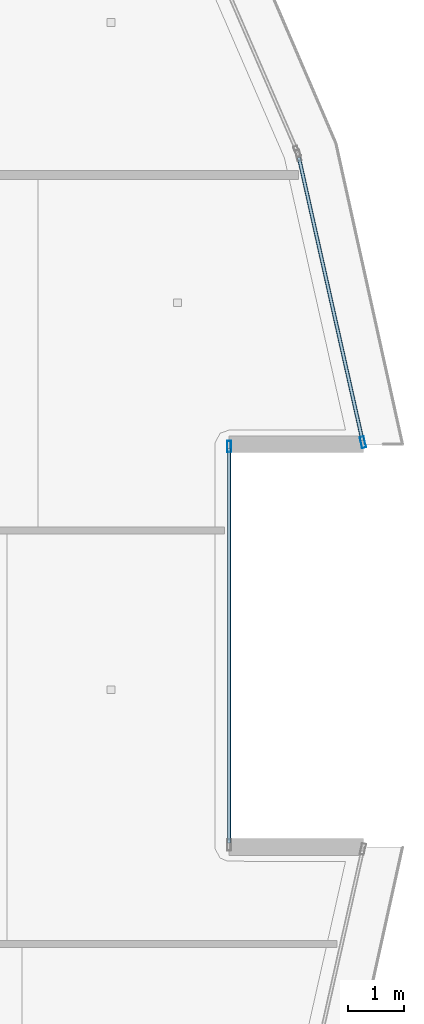
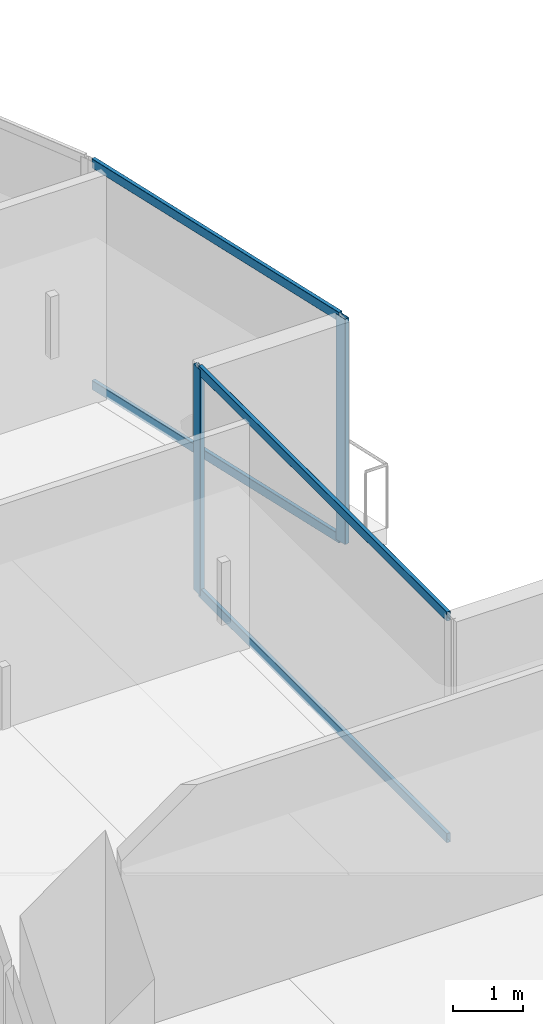
# One storey, part 12 of 30: 6 members, 2 elements without a shape of their own.
"""IFC4 building model written with IfcOpenShell, lengths in metres."""

from ifc_helpers import new_model, si_unit, direction, frame, origin, origin_2d, place, context, subcontext, project, spatial, hollow_rectangle, extrude, material, layer, layer_set, material_profile, profile_set, type_object, element, aggregate, save


model = new_model("IFC4")

# Units and contexts
model_context = context("Model", 3, precision=1e-05, world=origin(), true_north=direction((0.0, 1.0)))
body_context = subcontext(model_context, "Body", "Model", "MODEL_VIEW")
ifc_project = project(units=[si_unit("LENGTHUNIT", "METRE"), si_unit("AREAUNIT", "SQUARE_METRE"), si_unit("VOLUMEUNIT", "CUBIC_METRE"), si_unit("PLANEANGLEUNIT", "RADIAN"), si_unit("MASSUNIT", "GRAM", prefix="KILO")], contexts=[model_context])

# Site, building, storey
site_placement = place(None, origin())
site = spatial("IfcSite", under=ifc_project, at=site_placement, CompositionType="ELEMENT")
building_placement = place(site_placement, origin())
building = spatial("IfcBuilding", under=site, at=building_placement, Name="Qorvath Tower", CompositionType="ELEMENT")
storey_placement = place(building_placement, frame((0.0, 0.0, 289.199951171875)))
storey = spatial("IfcBuildingStorey", under=building, at=storey_placement, Name="L67", CompositionType="ELEMENT", Elevation=289.199951171875)

# Curtain wall, member
ifc_material_1 = material(Name="Anodised aluminium and triple low-E glass", Category="aluminium")
ifc_layer = layer(ifc_material_1, 0.179931640625)
ifc_layer_set = layer_set([ifc_layer], Name="CW-SYS-5")
curtain_wall_type = type_object("IfcCurtainWallType", Name="CW-SYS-5", PredefinedType="NOTDEFINED", material=ifc_layer_set)
curtain_wall_1_placement = place(storey_placement, origin())
curtain_wall_1 = element("IfcCurtainWall", 1, at=curtain_wall_1_placement, inside=storey, type_object=curtain_wall_type, Name="Curtain Wall CW-5 CW-T-L67-9.1", PredefinedType="NOTDEFINED")
ifc_material_2 = material(Name="Anodised aluminium 6063-T6", Category="aluminium")
ifc_material_profile_1 = material_profile(ifc_material_2, hollow_rectangle(XDim=0.074951171875, YDim=0.199951171875, WallThickness=0.00390625, InnerFilletRadius=0.00390625, OuterFilletRadius=0.008056640625, at=origin_2d()), Name="CWM 200x75")
ifc_profile_set_1 = profile_set([ifc_material_profile_1], Name="Anodised aluminium 6063-T6")
member_type_1 = type_object("IfcMemberType", Name="CWM-200", PredefinedType="MULLION", material=ifc_profile_set_1)
member_1_placement = place(storey_placement, frame((-4.879150390625, 3.564208984375, 0.0), z_axis=(0.0, 0.0, 1.0), x_axis=(-1.0, 0.0, 0.0)))
member_1 = element("IfcMember", 2, at=member_1_placement, type_object=member_type_1, Name="CW-5 mullion 2", PredefinedType="MULLION", context=body_context, shape_type="SweptSolid", body=[
    extrude(hollow_rectangle(XDim=0.074951171875, YDim=0.199951171875, WallThickness=0.00390625, InnerFilletRadius=0.00390625, OuterFilletRadius=0.008056640625, at=origin_2d()), origin(), (0.0, 0.0, 1.0), 3.91015625),
])

curtain_wall_2_placement = place(storey_placement, origin())
curtain_wall_2 = element("IfcCurtainWall", 3, at=curtain_wall_2_placement, inside=storey, type_object=curtain_wall_type, Name="Curtain Wall CW-5 CW-T-L67-11.1", PredefinedType="NOTDEFINED")
member_2_placement = place(storey_placement, frame((-2.486083984375, 3.638427734375, 0.0), z_axis=(0.0, 0.0, 1.0), x_axis=(-0.975680086847, -0.21919937986, 0.0)))
member_2 = element("IfcMember", 4, at=member_2_placement, type_object=member_type_1, Name="CW-5 mullion 1", PredefinedType="MULLION", context=body_context, shape_type="SweptSolid", body=[
    extrude(hollow_rectangle(XDim=0.074951171875, YDim=0.199951171875, WallThickness=0.00390625, InnerFilletRadius=0.00390625, OuterFilletRadius=0.008056640625, at=origin_2d()), origin(), (0.0, 0.0, 1.0), 3.91015625),
])

# Member
ifc_material_3 = material(Name="Anodised aluminium 6063-T6", Category="aluminium")
ifc_material_profile_2 = material_profile(ifc_material_3, hollow_rectangle(XDim=0.06494140625, YDim=0.159912109375, WallThickness=0.00341796875, InnerFilletRadius=0.00341796875, OuterFilletRadius=0.007080078125, at=origin_2d()), Name="CWT 160x65")
ifc_profile_set_2 = profile_set([ifc_material_profile_2], Name="Anodised aluminium 6063-T6")
member_type_2 = type_object("IfcMemberType", Name="CWT-160", PredefinedType="USERDEFINED", material=ifc_profile_set_2)
member_3_placement = place(storey_placement, frame((-4.879150390625, -3.52685546875, 0.032470703125), z_axis=(0.0, 1.0, 0.0), x_axis=(-1.0, 0.0, 0.0)))
member_3 = element("IfcMember", 5, at=member_3_placement, type_object=member_type_2, Name="CW-5 transom 1.1", ObjectType="TRANSOM", PredefinedType="USERDEFINED", context=body_context, shape_type="SweptSolid", body=[
    extrude(hollow_rectangle(XDim=0.06494140625, YDim=0.159912109375, WallThickness=0.00341796875, InnerFilletRadius=0.00341796875, OuterFilletRadius=0.007080078125, at=origin_2d()), origin(), (0.0, 0.0, 1.0), 7.0537109375),
])

member_4_placement = place(storey_placement, frame((-4.879150390625, -3.52685546875, 3.877685546875), z_axis=(0.0, 1.0, 0.0), x_axis=(-1.0, 0.0, 0.0)))
member_4 = element("IfcMember", 6, at=member_4_placement, type_object=member_type_2, Name="CW-5 transom 1.2", ObjectType="TRANSOM", PredefinedType="USERDEFINED", context=body_context, shape_type="SweptSolid", body=[
    extrude(hollow_rectangle(XDim=0.06494140625, YDim=0.159912109375, WallThickness=0.00341796875, InnerFilletRadius=0.00341796875, OuterFilletRadius=0.007080078125, at=origin_2d()), origin(), (0.0, 0.0, 1.0), 7.0537109375),
])

aggregate(curtain_wall_1, [member_1, member_3, member_4])

member_5_placement = place(storey_placement, frame((-2.494140625, 3.675048828125, 0.032470703125), z_axis=(-0.21924427491, 0.975669999497, 0.0), x_axis=(-0.975669999497, -0.21924427491, 0.0)))
member_5 = element("IfcMember", 7, at=member_5_placement, type_object=member_type_2, Name="CW-5 transom 1.1", ObjectType="TRANSOM", PredefinedType="USERDEFINED", context=body_context, shape_type="SweptSolid", body=[
    extrude(hollow_rectangle(XDim=0.06494140625, YDim=0.159912109375, WallThickness=0.00341796875, InnerFilletRadius=0.00341796875, OuterFilletRadius=0.007080078125, at=origin_2d()), origin(), (0.0, 0.0, 1.0), 5.182373046875),
])

member_6_placement = place(storey_placement, frame((-2.494140625, 3.675048828125, 3.877685546875), z_axis=(-0.21924427491, 0.975669999497, 0.0), x_axis=(-0.975669999497, -0.21924427491, 0.0)))
member_6 = element("IfcMember", 8, at=member_6_placement, type_object=member_type_2, Name="CW-5 transom 1.2", ObjectType="TRANSOM", PredefinedType="USERDEFINED", context=body_context, shape_type="SweptSolid", body=[
    extrude(hollow_rectangle(XDim=0.06494140625, YDim=0.159912109375, WallThickness=0.00341796875, InnerFilletRadius=0.00341796875, OuterFilletRadius=0.007080078125, at=origin_2d()), origin(), (0.0, 0.0, 1.0), 5.182373046875),
])

aggregate(curtain_wall_2, [member_2, member_5, member_6])

save(model, "model.ifc")
